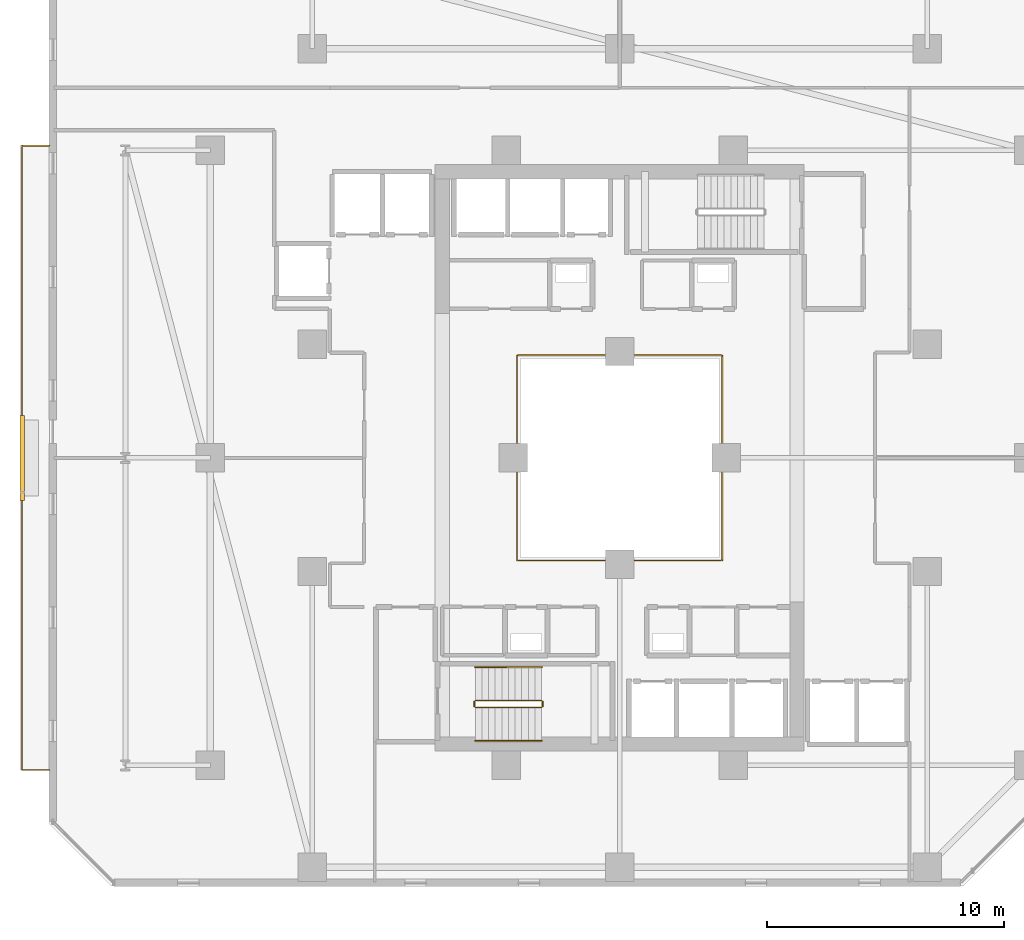
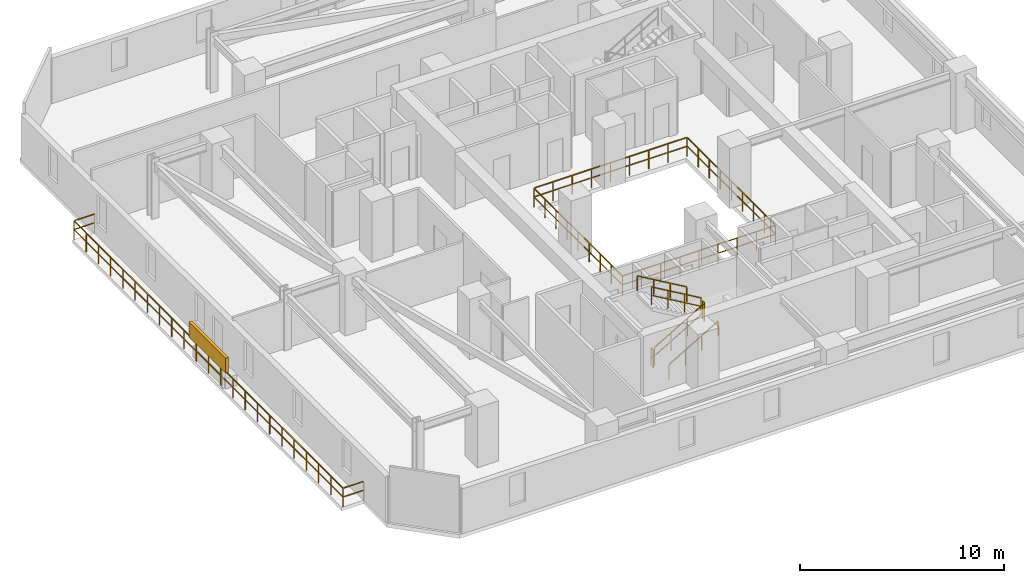
# One storey, part 30 of 33: 8 railings, 1 shading device.
"""IFC4 building model written with IfcOpenShell, lengths in metres."""

from ifc_helpers import new_model, si_unit, direction, frame, origin, origin_2d, place, context, subcontext, project, spatial, rectangle, extrude, material, type_object, element, save


model = new_model("IFC4")

# Units and contexts
model_context = context("Model", 3, precision=1e-05, world=origin(), true_north=direction((0.0, 1.0)))
body_context = subcontext(model_context, "Body", "Model", "MODEL_VIEW")
ifc_project = project(units=[si_unit("LENGTHUNIT", "METRE"), si_unit("AREAUNIT", "SQUARE_METRE"), si_unit("VOLUMEUNIT", "CUBIC_METRE"), si_unit("PLANEANGLEUNIT", "RADIAN"), si_unit("MASSUNIT", "GRAM", prefix="KILO")], contexts=[model_context])

# Site, building, storey
site_placement = place(None, origin())
site = spatial("IfcSite", under=ifc_project, at=site_placement, CompositionType="ELEMENT")
building_placement = place(site_placement, origin())
building = spatial("IfcBuilding", under=site, at=building_placement, Name="Thornwick Lancets Civic Towers", CompositionType="ELEMENT")
storey_placement = place(building_placement, frame((0.0, 0.0, 105.300048828125)))
storey = spatial("IfcBuildingStorey", under=building, at=storey_placement, Name="L27", CompositionType="ELEMENT", Elevation=105.300048828125)

# Railings
ifc_material_1 = material(Name="Laminated glass and bronze steel S355", Category="steel")
railing_type_1 = type_object("IfcRailingType", Name="RAIL_ATRIUM_GUARD", PredefinedType="BALUSTRADE", material=ifc_material_1)
railing_1_placement = place(storey_placement, frame((21.159912109375, 22.659912109375, 0.0)))
element("IfcRailing", 1, at=railing_1_placement, inside=storey, type_object=railing_type_1, Name="L27 Tower A Central Atrium Guard Balustrade", PredefinedType="BALUSTRADE", context=body_context, shape_type="SweptSolid", body=[
    extrude(rectangle(XDim=0.048095703125, YDim=0.048095703125, at=origin_2d()), frame((0.0, 0.0, 1.1259765625), z_axis=(1.0, 0.0, 0.0), x_axis=(0.0, 1.0, 0.0)), (0.0, 0.0, 1.0), 8.64892578125),
    extrude(rectangle(XDim=0.0419921875, YDim=0.0419921875, at=origin_2d()), frame((0.03759765625, 0.0, 0.597900390625), z_axis=(1.0, 0.0, 0.0), x_axis=(0.0, 1.0, 0.0)), (0.0, 0.0, 1.0), 1.010009765625),
    extrude(rectangle(XDim=0.0419921875, YDim=0.0419921875, at=origin_2d()), frame((1.12255859375, 0.0, 0.597900390625), z_axis=(1.0, 0.0, 0.0), x_axis=(0.0, 1.0, 0.0)), (0.0, 0.0, 1.0), 1.010009765625),
    extrude(rectangle(XDim=0.0419921875, YDim=0.0419921875, at=origin_2d()), frame((2.20751953125, 0.0, 0.597900390625), z_axis=(1.0, 0.0, 0.0), x_axis=(0.0, 1.0, 0.0)), (0.0, 0.0, 1.0), 1.010009765625),
    extrude(rectangle(XDim=0.0419921875, YDim=0.0419921875, at=origin_2d()), frame((3.29248046875, 0.0, 0.597900390625), z_axis=(1.0, 0.0, 0.0), x_axis=(0.0, 1.0, 0.0)), (0.0, 0.0, 1.0), 1.010009765625),
    extrude(rectangle(XDim=0.0419921875, YDim=0.0419921875, at=origin_2d()), frame((4.377685546875, 0.0, 0.597900390625), z_axis=(1.0, 0.0, 0.0), x_axis=(0.0, 1.0, 0.0)), (0.0, 0.0, 1.0), 1.010009765625),
    extrude(rectangle(XDim=0.0419921875, YDim=0.0419921875, at=origin_2d()), frame((5.462646484375, 0.0, 0.597900390625), z_axis=(1.0, 0.0, 0.0), x_axis=(0.0, 1.0, 0.0)), (0.0, 0.0, 1.0), 1.010009765625),
    extrude(rectangle(XDim=0.0419921875, YDim=0.0419921875, at=origin_2d()), frame((6.547607421875, 0.0, 0.597900390625), z_axis=(1.0, 0.0, 0.0), x_axis=(0.0, 1.0, 0.0)), (0.0, 0.0, 1.0), 1.010009765625),
    extrude(rectangle(XDim=0.0419921875, YDim=0.0419921875, at=origin_2d()), frame((7.632568359375, 0.0, 0.597900390625), z_axis=(1.0, 0.0, 0.0), x_axis=(0.0, 1.0, 0.0)), (0.0, 0.0, 1.0), 1.010009765625),
    extrude(rectangle(XDim=0.048095703125, YDim=0.048095703125, at=origin_2d()), frame((8.68017578125, 0.03125, 1.1259765625), z_axis=(0.0, 1.0, 0.0), x_axis=(-1.0, 0.0, 0.0)), (0.0, 0.0, 1.0), 8.61767578125),
    extrude(rectangle(XDim=0.0419921875, YDim=0.0419921875, at=origin_2d()), frame((8.68017578125, 0.03759765625, 0.597900390625), z_axis=(0.0, 1.0, 0.0), x_axis=(-1.0, 0.0, 0.0)), (0.0, 0.0, 1.0), 1.010009765625),
    extrude(rectangle(XDim=0.0419921875, YDim=0.0419921875, at=origin_2d()), frame((8.68017578125, 1.12255859375, 0.597900390625), z_axis=(0.0, 1.0, 0.0), x_axis=(-1.0, 0.0, 0.0)), (0.0, 0.0, 1.0), 1.010009765625),
    extrude(rectangle(XDim=0.0419921875, YDim=0.0419921875, at=origin_2d()), frame((8.68017578125, 2.20751953125, 0.597900390625), z_axis=(0.0, 1.0, 0.0), x_axis=(-1.0, 0.0, 0.0)), (0.0, 0.0, 1.0), 1.010009765625),
    extrude(rectangle(XDim=0.0419921875, YDim=0.0419921875, at=origin_2d()), frame((8.68017578125, 3.29248046875, 0.597900390625), z_axis=(0.0, 1.0, 0.0), x_axis=(-1.0, 0.0, 0.0)), (0.0, 0.0, 1.0), 1.010009765625),
    extrude(rectangle(XDim=0.0419921875, YDim=0.0419921875, at=origin_2d()), frame((8.68017578125, 4.377685546875, 0.597900390625), z_axis=(0.0, 1.0, 0.0), x_axis=(-1.0, 0.0, 0.0)), (0.0, 0.0, 1.0), 1.010009765625),
    extrude(rectangle(XDim=0.0419921875, YDim=0.0419921875, at=origin_2d()), frame((8.68017578125, 5.462646484375, 0.597900390625), z_axis=(0.0, 1.0, 0.0), x_axis=(-1.0, 0.0, 0.0)), (0.0, 0.0, 1.0), 1.010009765625),
    extrude(rectangle(XDim=0.0419921875, YDim=0.0419921875, at=origin_2d()), frame((8.68017578125, 6.547607421875, 0.597900390625), z_axis=(0.0, 1.0, 0.0), x_axis=(-1.0, 0.0, 0.0)), (0.0, 0.0, 1.0), 1.010009765625),
    extrude(rectangle(XDim=0.0419921875, YDim=0.0419921875, at=origin_2d()), frame((8.68017578125, 7.632568359375, 0.597900390625), z_axis=(0.0, 1.0, 0.0), x_axis=(-1.0, 0.0, 0.0)), (0.0, 0.0, 1.0), 1.010009765625),
    extrude(rectangle(XDim=0.048095703125, YDim=0.048095703125, at=origin_2d()), frame((8.64892578125, 8.68017578125, 1.1259765625), z_axis=(-1.0, 0.0, 0.0), x_axis=(0.0, -1.0, 0.0)), (0.0, 0.0, 1.0), 8.61767578125),
    extrude(rectangle(XDim=0.0419921875, YDim=0.0419921875, at=origin_2d()), frame((8.642578125, 8.68017578125, 0.597900390625), z_axis=(-1.0, 0.0, 0.0), x_axis=(0.0, -1.0, 0.0)), (0.0, 0.0, 1.0), 1.010009765625),
    extrude(rectangle(XDim=0.0419921875, YDim=0.0419921875, at=origin_2d()), frame((7.5576171875, 8.68017578125, 0.597900390625), z_axis=(-1.0, 0.0, 0.0), x_axis=(0.0, -1.0, 0.0)), (0.0, 0.0, 1.0), 1.010009765625),
    extrude(rectangle(XDim=0.0419921875, YDim=0.0419921875, at=origin_2d()), frame((6.47265625, 8.68017578125, 0.597900390625), z_axis=(-1.0, 0.0, 0.0), x_axis=(0.0, -1.0, 0.0)), (0.0, 0.0, 1.0), 1.010009765625),
    extrude(rectangle(XDim=0.0419921875, YDim=0.0419921875, at=origin_2d()), frame((5.3876953125, 8.68017578125, 0.597900390625), z_axis=(-1.0, 0.0, 0.0), x_axis=(0.0, -1.0, 0.0)), (0.0, 0.0, 1.0), 1.010009765625),
    extrude(rectangle(XDim=0.0419921875, YDim=0.0419921875, at=origin_2d()), frame((4.302490234375, 8.68017578125, 0.597900390625), z_axis=(-1.0, 0.0, 0.0), x_axis=(0.0, -1.0, 0.0)), (0.0, 0.0, 1.0), 1.010009765625),
    extrude(rectangle(XDim=0.0419921875, YDim=0.0419921875, at=origin_2d()), frame((3.217529296875, 8.68017578125, 0.597900390625), z_axis=(-1.0, 0.0, 0.0), x_axis=(0.0, -1.0, 0.0)), (0.0, 0.0, 1.0), 1.010009765625),
    extrude(rectangle(XDim=0.0419921875, YDim=0.0419921875, at=origin_2d()), frame((2.132568359375, 8.68017578125, 0.597900390625), z_axis=(-1.0, 0.0, 0.0), x_axis=(0.0, -1.0, 0.0)), (0.0, 0.0, 1.0), 1.010009765625),
    extrude(rectangle(XDim=0.0419921875, YDim=0.0419921875, at=origin_2d()), frame((1.047607421875, 8.68017578125, 0.597900390625), z_axis=(-1.0, 0.0, 0.0), x_axis=(0.0, -1.0, 0.0)), (0.0, 0.0, 1.0), 1.010009765625),
    extrude(rectangle(XDim=0.048095703125, YDim=0.048095703125, at=origin_2d()), frame((0.0, 8.64892578125, 1.1259765625), z_axis=(0.0, -1.0, 0.0), x_axis=(1.0, 0.0, 0.0)), (0.0, 0.0, 1.0), 8.64892578125),
    extrude(rectangle(XDim=0.0419921875, YDim=0.0419921875, at=origin_2d()), frame((0.0, 8.642578125, 0.597900390625), z_axis=(0.0, -1.0, 0.0), x_axis=(1.0, 0.0, 0.0)), (0.0, 0.0, 1.0), 1.010009765625),
    extrude(rectangle(XDim=0.0419921875, YDim=0.0419921875, at=origin_2d()), frame((0.0, 7.5576171875, 0.597900390625), z_axis=(0.0, -1.0, 0.0), x_axis=(1.0, 0.0, 0.0)), (0.0, 0.0, 1.0), 1.010009765625),
    extrude(rectangle(XDim=0.0419921875, YDim=0.0419921875, at=origin_2d()), frame((0.0, 6.47265625, 0.597900390625), z_axis=(0.0, -1.0, 0.0), x_axis=(1.0, 0.0, 0.0)), (0.0, 0.0, 1.0), 1.010009765625),
    extrude(rectangle(XDim=0.0419921875, YDim=0.0419921875, at=origin_2d()), frame((0.0, 5.3876953125, 0.597900390625), z_axis=(0.0, -1.0, 0.0), x_axis=(1.0, 0.0, 0.0)), (0.0, 0.0, 1.0), 1.010009765625),
    extrude(rectangle(XDim=0.0419921875, YDim=0.0419921875, at=origin_2d()), frame((0.0, 4.302490234375, 0.597900390625), z_axis=(0.0, -1.0, 0.0), x_axis=(1.0, 0.0, 0.0)), (0.0, 0.0, 1.0), 1.010009765625),
    extrude(rectangle(XDim=0.0419921875, YDim=0.0419921875, at=origin_2d()), frame((0.0, 3.217529296875, 0.597900390625), z_axis=(0.0, -1.0, 0.0), x_axis=(1.0, 0.0, 0.0)), (0.0, 0.0, 1.0), 1.010009765625),
    extrude(rectangle(XDim=0.0419921875, YDim=0.0419921875, at=origin_2d()), frame((0.0, 2.132568359375, 0.597900390625), z_axis=(0.0, -1.0, 0.0), x_axis=(1.0, 0.0, 0.0)), (0.0, 0.0, 1.0), 1.010009765625),
    extrude(rectangle(XDim=0.0419921875, YDim=0.0419921875, at=origin_2d()), frame((0.0, 1.047607421875, 0.597900390625), z_axis=(0.0, -1.0, 0.0), x_axis=(1.0, 0.0, 0.0)), (0.0, 0.0, 1.0), 1.010009765625),
    extrude(rectangle(XDim=0.0419921875, YDim=0.0419921875, at=origin_2d()), origin(), (0.0, 0.0, 1.0), 1.095703125),
    extrude(rectangle(XDim=0.0419921875, YDim=0.0419921875, at=origin_2d()), frame((1.0849609375, 0.0, 0.0)), (0.0, 0.0, 1.0), 1.095703125),
    extrude(rectangle(XDim=0.0419921875, YDim=0.0419921875, at=origin_2d()), frame((2.169921875, 0.0, 0.0)), (0.0, 0.0, 1.0), 1.095703125),
    extrude(rectangle(XDim=0.0419921875, YDim=0.0419921875, at=origin_2d()), frame((3.255126953125, 0.0, 0.0)), (0.0, 0.0, 1.0), 1.095703125),
    extrude(rectangle(XDim=0.0419921875, YDim=0.0419921875, at=origin_2d()), frame((4.340087890625, 0.0, 0.0)), (0.0, 0.0, 1.0), 1.095703125),
    extrude(rectangle(XDim=0.0419921875, YDim=0.0419921875, at=origin_2d()), frame((5.425048828125, 0.0, 0.0)), (0.0, 0.0, 1.0), 1.095703125),
    extrude(rectangle(XDim=0.0419921875, YDim=0.0419921875, at=origin_2d()), frame((6.51025390625, 0.0, 0.0)), (0.0, 0.0, 1.0), 1.095703125),
    extrude(rectangle(XDim=0.0419921875, YDim=0.0419921875, at=origin_2d()), frame((7.59521484375, 0.0, 0.0)), (0.0, 0.0, 1.0), 1.095703125),
    extrude(rectangle(XDim=0.0419921875, YDim=0.0419921875, at=origin_2d()), frame((8.68017578125, 0.0, 0.0)), (0.0, 0.0, 1.0), 1.095703125),
    extrude(rectangle(XDim=0.0419921875, YDim=0.0419921875, at=origin_2d()), frame((8.68017578125, 1.0849609375, 0.0)), (0.0, 0.0, 1.0), 1.095703125),
    extrude(rectangle(XDim=0.0419921875, YDim=0.0419921875, at=origin_2d()), frame((8.68017578125, 2.169921875, 0.0)), (0.0, 0.0, 1.0), 1.095703125),
    extrude(rectangle(XDim=0.0419921875, YDim=0.0419921875, at=origin_2d()), frame((8.68017578125, 3.255126953125, 0.0)), (0.0, 0.0, 1.0), 1.095703125),
    extrude(rectangle(XDim=0.0419921875, YDim=0.0419921875, at=origin_2d()), frame((8.68017578125, 4.340087890625, 0.0)), (0.0, 0.0, 1.0), 1.095703125),
    extrude(rectangle(XDim=0.0419921875, YDim=0.0419921875, at=origin_2d()), frame((8.68017578125, 5.425048828125, 0.0)), (0.0, 0.0, 1.0), 1.095703125),
    extrude(rectangle(XDim=0.0419921875, YDim=0.0419921875, at=origin_2d()), frame((8.68017578125, 6.51025390625, 0.0)), (0.0, 0.0, 1.0), 1.095703125),
    extrude(rectangle(XDim=0.0419921875, YDim=0.0419921875, at=origin_2d()), frame((8.68017578125, 7.59521484375, 0.0)), (0.0, 0.0, 1.0), 1.095703125),
    extrude(rectangle(XDim=0.0419921875, YDim=0.0419921875, at=origin_2d()), frame((8.68017578125, 8.68017578125, 0.0)), (0.0, 0.0, 1.0), 1.095703125),
    extrude(rectangle(XDim=0.0419921875, YDim=0.0419921875, at=origin_2d()), frame((7.59521484375, 8.68017578125, 0.0)), (0.0, 0.0, 1.0), 1.095703125),
    extrude(rectangle(XDim=0.0419921875, YDim=0.0419921875, at=origin_2d()), frame((6.51025390625, 8.68017578125, 0.0)), (0.0, 0.0, 1.0), 1.095703125),
    extrude(rectangle(XDim=0.0419921875, YDim=0.0419921875, at=origin_2d()), frame((5.425048828125, 8.68017578125, 0.0)), (0.0, 0.0, 1.0), 1.095703125),
    extrude(rectangle(XDim=0.0419921875, YDim=0.0419921875, at=origin_2d()), frame((4.340087890625, 8.68017578125, 0.0)), (0.0, 0.0, 1.0), 1.095703125),
    extrude(rectangle(XDim=0.0419921875, YDim=0.0419921875, at=origin_2d()), frame((3.255126953125, 8.68017578125, 0.0)), (0.0, 0.0, 1.0), 1.095703125),
    extrude(rectangle(XDim=0.0419921875, YDim=0.0419921875, at=origin_2d()), frame((2.169921875, 8.68017578125, 0.0)), (0.0, 0.0, 1.0), 1.095703125),
    extrude(rectangle(XDim=0.0419921875, YDim=0.0419921875, at=origin_2d()), frame((1.0849609375, 8.68017578125, 0.0)), (0.0, 0.0, 1.0), 1.095703125),
    extrude(rectangle(XDim=0.0419921875, YDim=0.0419921875, at=origin_2d()), frame((0.0, 8.68017578125, 0.0)), (0.0, 0.0, 1.0), 1.095703125),
    extrude(rectangle(XDim=0.0419921875, YDim=0.0419921875, at=origin_2d()), frame((0.0, 7.59521484375, 0.0)), (0.0, 0.0, 1.0), 1.095703125),
    extrude(rectangle(XDim=0.0419921875, YDim=0.0419921875, at=origin_2d()), frame((0.0, 6.51025390625, 0.0)), (0.0, 0.0, 1.0), 1.095703125),
    extrude(rectangle(XDim=0.0419921875, YDim=0.0419921875, at=origin_2d()), frame((0.0, 5.425048828125, 0.0)), (0.0, 0.0, 1.0), 1.095703125),
    extrude(rectangle(XDim=0.0419921875, YDim=0.0419921875, at=origin_2d()), frame((0.0, 4.340087890625, 0.0)), (0.0, 0.0, 1.0), 1.095703125),
    extrude(rectangle(XDim=0.0419921875, YDim=0.0419921875, at=origin_2d()), frame((0.0, 3.255126953125, 0.0)), (0.0, 0.0, 1.0), 1.095703125),
    extrude(rectangle(XDim=0.0419921875, YDim=0.0419921875, at=origin_2d()), frame((0.0, 2.169921875, 0.0)), (0.0, 0.0, 1.0), 1.095703125),
    extrude(rectangle(XDim=0.0419921875, YDim=0.0419921875, at=origin_2d()), frame((0.0, 1.0849609375, 0.0)), (0.0, 0.0, 1.0), 1.095703125),
])
ifc_material_2 = material(Name="Brushed stainless steel S355", Category="steel")
railing_type_2 = type_object("IfcRailingType", Name="RAIL_HANDRAIL", PredefinedType="HANDRAIL", material=ifc_material_2)
railing_2_placement = place(storey_placement, frame((19.39990234375, 15.050048828125, 0.16357421875)))
element("IfcRailing", 2, at=railing_2_placement, inside=storey, type_object=railing_type_2, Name="L27 ST-A1 stair handrail 1", PredefinedType="HANDRAIL", context=body_context, shape_type="SweptSolid", body=[
    extrude(rectangle(XDim=0.048095703125, YDim=0.048095703125, at=origin_2d()), frame((0.0, 0.0, 0.8857421875), z_axis=(0.863360870873, 0.0, 0.504586966384), x_axis=(0.0, 1.0, 0.0)), (0.0, 0.0, 1.0), 3.2431640625),
    extrude(rectangle(XDim=0.0419921875, YDim=0.0419921875, at=origin_2d()), origin(), (0.0, 0.0, 1.0), 0.855712890625),
    extrude(rectangle(XDim=0.0419921875, YDim=0.0419921875, at=origin_2d()), frame((0.933349609375, 0.0, 0.54541015625)), (0.0, 0.0, 1.0), 0.855712890625),
    extrude(rectangle(XDim=0.0419921875, YDim=0.0419921875, at=origin_2d()), frame((1.86669921875, 0.0, 1.091064453125)), (0.0, 0.0, 1.0), 0.855712890625),
    extrude(rectangle(XDim=0.0419921875, YDim=0.0419921875, at=origin_2d()), frame((2.800048828125, 0.0, 1.636474609375)), (0.0, 0.0, 1.0), 0.855712890625),
])
railing_3_placement = place(storey_placement, frame((22.199951171875, 18.14990234375, 1.963623046875)))
element("IfcRailing", 3, at=railing_3_placement, inside=storey, type_object=railing_type_2, Name="L27 ST-A1 stair handrail 2", PredefinedType="HANDRAIL", context=body_context, shape_type="SweptSolid", body=[
    extrude(rectangle(XDim=0.048095703125, YDim=0.048095703125, at=origin_2d()), frame((0.0, 0.0, 0.8857421875), z_axis=(-0.863393664356, 0.0, 0.504530851732), x_axis=(0.0, -1.0, 0.0)), (0.0, 0.0, 1.0), 3.2431640625),
    extrude(rectangle(XDim=0.0419921875, YDim=0.0419921875, at=origin_2d()), origin(), (0.0, 0.0, 1.0), 0.855712890625),
    extrude(rectangle(XDim=0.0419921875, YDim=0.0419921875, at=origin_2d()), frame((-0.933349609375, 0.0, 0.54541015625)), (0.0, 0.0, 1.0), 0.855712890625),
    extrude(rectangle(XDim=0.0419921875, YDim=0.0419921875, at=origin_2d()), frame((-1.86669921875, 0.0, 1.0908203125)), (0.0, 0.0, 1.0), 0.855712890625),
    extrude(rectangle(XDim=0.0419921875, YDim=0.0419921875, at=origin_2d()), frame((-2.800048828125, 0.0, 1.63623046875)), (0.0, 0.0, 1.0), 0.855712890625),
])
ifc_material_3 = material(Name="Steel S355JR", Category="steel")
railing_type_3 = type_object("IfcRailingType", Name="RAIL_STAIR_GUARD", PredefinedType="GUARDRAIL", material=ifc_material_3)
railing_4_placement = place(storey_placement, frame((19.39990234375, 16.449951171875, 0.16357421875)))
element("IfcRailing", 4, at=railing_4_placement, inside=storey, type_object=railing_type_3, Name="L27 ST-A1 stair guard 1", PredefinedType="GUARDRAIL", context=body_context, shape_type="SweptSolid", body=[
    extrude(rectangle(XDim=0.048095703125, YDim=0.048095703125, at=origin_2d()), frame((0.0, 0.0, 1.076171875), z_axis=(0.863360870873, 0.0, 0.504586966384), x_axis=(0.0, 1.0, 0.0)), (0.0, 0.0, 1.0), 3.2431640625),
    extrude(rectangle(XDim=0.0419921875, YDim=0.0419921875, at=origin_2d()), frame((0.032470703125, 0.0, 0.591064453125), z_axis=(0.863360870873, 0.0, 0.504586966384), x_axis=(0.0, 1.0, 0.0)), (0.0, 0.0, 1.0), 1.006103515625),
    extrude(rectangle(XDim=0.0419921875, YDim=0.0419921875, at=origin_2d()), frame((0.9658203125, 0.0, 1.136474609375), z_axis=(0.863360870873, 0.0, 0.504586966384), x_axis=(0.0, 1.0, 0.0)), (0.0, 0.0, 1.0), 1.006103515625),
    extrude(rectangle(XDim=0.0419921875, YDim=0.0419921875, at=origin_2d()), frame((1.899169921875, 0.0, 1.681884765625), z_axis=(0.863360870873, 0.0, 0.504586966384), x_axis=(0.0, 1.0, 0.0)), (0.0, 0.0, 1.0), 1.006103515625),
    extrude(rectangle(XDim=0.0419921875, YDim=0.0419921875, at=origin_2d()), origin(), (0.0, 0.0, 1.0), 1.0458984375),
    extrude(rectangle(XDim=0.0419921875, YDim=0.0419921875, at=origin_2d()), frame((0.933349609375, 0.0, 0.54541015625)), (0.0, 0.0, 1.0), 1.0458984375),
    extrude(rectangle(XDim=0.0419921875, YDim=0.0419921875, at=origin_2d()), frame((1.86669921875, 0.0, 1.091064453125)), (0.0, 0.0, 1.0), 1.0458984375),
    extrude(rectangle(XDim=0.0419921875, YDim=0.0419921875, at=origin_2d()), frame((2.800048828125, 0.0, 1.636474609375)), (0.0, 0.0, 1.0), 1.0458984375),
])
railing_5_placement = place(storey_placement, frame((22.25, 16.5, 1.800048828125)))
element("IfcRailing", 5, at=railing_5_placement, inside=storey, type_object=railing_type_3, Name="L27 ST-A1 stair guard 2", PredefinedType="GUARDRAIL", context=body_context, shape_type="SweptSolid", body=[
    extrude(rectangle(XDim=0.048095703125, YDim=0.048095703125, at=origin_2d()), frame((0.0, 0.0, 1.076171875), z_axis=(0.0, 1.0, 0.0), x_axis=(-1.0, 0.0, 0.0)), (0.0, 0.0, 1.0), 0.199951171875),
    extrude(rectangle(XDim=0.0419921875, YDim=0.0419921875, at=origin_2d()), frame((0.0, 0.03759765625, 0.572021484375), z_axis=(0.0, 1.0, 0.0), x_axis=(-1.0, 0.0, 0.0)), (0.0, 0.0, 1.0), 0.125),
    extrude(rectangle(XDim=0.0419921875, YDim=0.0419921875, at=origin_2d()), origin(), (0.0, 0.0, 1.0), 1.0458984375),
    extrude(rectangle(XDim=0.0419921875, YDim=0.0419921875, at=origin_2d()), frame((0.0, 0.199951171875, 0.0)), (0.0, 0.0, 1.0), 1.0458984375),
])
railing_6_placement = place(storey_placement, frame((22.199951171875, 16.75, 1.963623046875)))
element("IfcRailing", 6, at=railing_6_placement, inside=storey, type_object=railing_type_3, Name="L27 ST-A1 stair guard 3", PredefinedType="GUARDRAIL", context=body_context, shape_type="SweptSolid", body=[
    extrude(rectangle(XDim=0.048095703125, YDim=0.048095703125, at=origin_2d()), frame((0.0, 0.0, 1.076171875), z_axis=(-0.863393664356, 0.0, 0.504530851732), x_axis=(0.0, -1.0, 0.0)), (0.0, 0.0, 1.0), 3.2431640625),
    extrude(rectangle(XDim=0.0419921875, YDim=0.0419921875, at=origin_2d()), frame((-0.032470703125, 0.0, 0.591064453125), z_axis=(-0.863393664356, 0.0, 0.504530851732), x_axis=(0.0, -1.0, 0.0)), (0.0, 0.0, 1.0), 1.006103515625),
    extrude(rectangle(XDim=0.0419921875, YDim=0.0419921875, at=origin_2d()), frame((-0.9658203125, 0.0, 1.136474609375), z_axis=(-0.863393664356, 0.0, 0.504530851732), x_axis=(0.0, -1.0, 0.0)), (0.0, 0.0, 1.0), 1.006103515625),
    extrude(rectangle(XDim=0.0419921875, YDim=0.0419921875, at=origin_2d()), frame((-1.899169921875, 0.0, 1.681884765625), z_axis=(-0.863393664356, 0.0, 0.504530851732), x_axis=(0.0, -1.0, 0.0)), (0.0, 0.0, 1.0), 1.006103515625),
    extrude(rectangle(XDim=0.0419921875, YDim=0.0419921875, at=origin_2d()), origin(), (0.0, 0.0, 1.0), 1.0458984375),
    extrude(rectangle(XDim=0.0419921875, YDim=0.0419921875, at=origin_2d()), frame((-0.933349609375, 0.0, 0.54541015625)), (0.0, 0.0, 1.0), 1.0458984375),
    extrude(rectangle(XDim=0.0419921875, YDim=0.0419921875, at=origin_2d()), frame((-1.86669921875, 0.0, 1.0908203125)), (0.0, 0.0, 1.0), 1.0458984375),
    extrude(rectangle(XDim=0.0419921875, YDim=0.0419921875, at=origin_2d()), frame((-2.800048828125, 0.0, 1.63623046875)), (0.0, 0.0, 1.0), 1.0458984375),
])
railing_7_placement = place(storey_placement, frame((19.35009765625, 16.5, 0.0)))
element("IfcRailing", 7, at=railing_7_placement, inside=storey, type_object=railing_type_3, Name="L27 ST-A1 stair guard 4", PredefinedType="GUARDRAIL", context=body_context, shape_type="SweptSolid", body=[
    extrude(rectangle(XDim=0.048095703125, YDim=0.048095703125, at=origin_2d()), frame((0.0, 0.0, 1.076171875), z_axis=(0.0, 1.0, 0.0), x_axis=(-1.0, 0.0, 0.0)), (0.0, 0.0, 1.0), 0.199951171875),
    extrude(rectangle(XDim=0.0419921875, YDim=0.0419921875, at=origin_2d()), frame((0.0, 0.03759765625, 0.572021484375), z_axis=(0.0, 1.0, 0.0), x_axis=(-1.0, 0.0, 0.0)), (0.0, 0.0, 1.0), 0.125),
    extrude(rectangle(XDim=0.0419921875, YDim=0.0419921875, at=origin_2d()), origin(), (0.0, 0.0, 1.0), 1.0458984375),
    extrude(rectangle(XDim=0.0419921875, YDim=0.0419921875, at=origin_2d()), frame((0.0, 0.199951171875, 0.0)), (0.0, 0.0, 1.0), 1.0458984375),
])
ifc_material_4 = material(Name="Terracotta-capped laminated glass balustrade S355", Category="masonry")
railing_type_4 = type_object("IfcRailingType", Name="RAIL_TERR_GUARD", PredefinedType="GUARDRAIL", material=ifc_material_4)
railing_8_placement = place(storey_placement, frame((1.39990234375, 13.800048828125, 0.0)))
element("IfcRailing", 8, at=railing_8_placement, inside=storey, type_object=railing_type_4, Name="L27 Tower A Balcony Guard W", PredefinedType="GUARDRAIL", context=body_context, shape_type="SweptSolid", body=[
    extrude(rectangle(XDim=0.048095703125, YDim=0.048095703125, at=origin_2d()), frame((0.0, 0.0, 1.1259765625), z_axis=(-1.0, 0.0, 0.0), x_axis=(0.0, -1.0, 0.0)), (0.0, 0.0, 1.0), 1.138671875),
    extrude(rectangle(XDim=0.0419921875, YDim=0.0419921875, at=origin_2d()), frame((-0.03759765625, 0.0, 0.597900390625), z_axis=(-1.0, 0.0, 0.0), x_axis=(0.0, -1.0, 0.0)), (0.0, 0.0, 1.0), 1.094970703125),
    extrude(rectangle(XDim=0.048095703125, YDim=0.048095703125, at=origin_2d()), frame((-1.169921875, 0.03125, 1.1259765625), z_axis=(0.0, 1.0, 0.0), x_axis=(-1.0, 0.0, 0.0)), (0.0, 0.0, 1.0), 26.33740234375),
    extrude(rectangle(XDim=0.0419921875, YDim=0.0419921875, at=origin_2d()), frame((-1.169921875, 0.03759765625, 0.597900390625), z_axis=(0.0, 1.0, 0.0), x_axis=(-1.0, 0.0, 0.0)), (0.0, 0.0, 1.0), 1.125),
    extrude(rectangle(XDim=0.0419921875, YDim=0.0419921875, at=origin_2d()), frame((-1.169921875, 1.237548828125, 0.597900390625), z_axis=(0.0, 1.0, 0.0), x_axis=(-1.0, 0.0, 0.0)), (0.0, 0.0, 1.0), 1.125),
    extrude(rectangle(XDim=0.0419921875, YDim=0.0419921875, at=origin_2d()), frame((-1.169921875, 2.4375, 0.597900390625), z_axis=(0.0, 1.0, 0.0), x_axis=(-1.0, 0.0, 0.0)), (0.0, 0.0, 1.0), 1.125),
    extrude(rectangle(XDim=0.0419921875, YDim=0.0419921875, at=origin_2d()), frame((-1.169921875, 3.637451171875, 0.597900390625), z_axis=(0.0, 1.0, 0.0), x_axis=(-1.0, 0.0, 0.0)), (0.0, 0.0, 1.0), 1.125),
    extrude(rectangle(XDim=0.0419921875, YDim=0.0419921875, at=origin_2d()), frame((-1.169921875, 4.83740234375, 0.597900390625), z_axis=(0.0, 1.0, 0.0), x_axis=(-1.0, 0.0, 0.0)), (0.0, 0.0, 1.0), 1.125),
    extrude(rectangle(XDim=0.0419921875, YDim=0.0419921875, at=origin_2d()), frame((-1.169921875, 6.037353515625, 0.597900390625), z_axis=(0.0, 1.0, 0.0), x_axis=(-1.0, 0.0, 0.0)), (0.0, 0.0, 1.0), 1.125),
    extrude(rectangle(XDim=0.0419921875, YDim=0.0419921875, at=origin_2d()), frame((-1.169921875, 7.237548828125, 0.597900390625), z_axis=(0.0, 1.0, 0.0), x_axis=(-1.0, 0.0, 0.0)), (0.0, 0.0, 1.0), 1.125),
    extrude(rectangle(XDim=0.0419921875, YDim=0.0419921875, at=origin_2d()), frame((-1.169921875, 8.4375, 0.597900390625), z_axis=(0.0, 1.0, 0.0), x_axis=(-1.0, 0.0, 0.0)), (0.0, 0.0, 1.0), 1.125),
    extrude(rectangle(XDim=0.0419921875, YDim=0.0419921875, at=origin_2d()), frame((-1.169921875, 9.637451171875, 0.597900390625), z_axis=(0.0, 1.0, 0.0), x_axis=(-1.0, 0.0, 0.0)), (0.0, 0.0, 1.0), 1.125),
    extrude(rectangle(XDim=0.0419921875, YDim=0.0419921875, at=origin_2d()), frame((-1.169921875, 10.83740234375, 0.597900390625), z_axis=(0.0, 1.0, 0.0), x_axis=(-1.0, 0.0, 0.0)), (0.0, 0.0, 1.0), 1.125),
    extrude(rectangle(XDim=0.0419921875, YDim=0.0419921875, at=origin_2d()), frame((-1.169921875, 12.037353515625, 0.597900390625), z_axis=(0.0, 1.0, 0.0), x_axis=(-1.0, 0.0, 0.0)), (0.0, 0.0, 1.0), 1.125),
    extrude(rectangle(XDim=0.0419921875, YDim=0.0419921875, at=origin_2d()), frame((-1.169921875, 13.237548828125, 0.597900390625), z_axis=(0.0, 1.0, 0.0), x_axis=(-1.0, 0.0, 0.0)), (0.0, 0.0, 1.0), 1.125),
    extrude(rectangle(XDim=0.0419921875, YDim=0.0419921875, at=origin_2d()), frame((-1.169921875, 14.4375, 0.597900390625), z_axis=(0.0, 1.0, 0.0), x_axis=(-1.0, 0.0, 0.0)), (0.0, 0.0, 1.0), 1.125),
    extrude(rectangle(XDim=0.0419921875, YDim=0.0419921875, at=origin_2d()), frame((-1.169921875, 15.637451171875, 0.597900390625), z_axis=(0.0, 1.0, 0.0), x_axis=(-1.0, 0.0, 0.0)), (0.0, 0.0, 1.0), 1.125),
    extrude(rectangle(XDim=0.0419921875, YDim=0.0419921875, at=origin_2d()), frame((-1.169921875, 16.83740234375, 0.597900390625), z_axis=(0.0, 1.0, 0.0), x_axis=(-1.0, 0.0, 0.0)), (0.0, 0.0, 1.0), 1.125),
    extrude(rectangle(XDim=0.0419921875, YDim=0.0419921875, at=origin_2d()), frame((-1.169921875, 18.037353515625, 0.597900390625), z_axis=(0.0, 1.0, 0.0), x_axis=(-1.0, 0.0, 0.0)), (0.0, 0.0, 1.0), 1.125),
    extrude(rectangle(XDim=0.0419921875, YDim=0.0419921875, at=origin_2d()), frame((-1.169921875, 19.2373046875, 0.597900390625), z_axis=(0.0, 1.0, 0.0), x_axis=(-1.0, 0.0, 0.0)), (0.0, 0.0, 1.0), 1.125),
    extrude(rectangle(XDim=0.0419921875, YDim=0.0419921875, at=origin_2d()), frame((-1.169921875, 20.4375, 0.597900390625), z_axis=(0.0, 1.0, 0.0), x_axis=(-1.0, 0.0, 0.0)), (0.0, 0.0, 1.0), 1.125),
    extrude(rectangle(XDim=0.0419921875, YDim=0.0419921875, at=origin_2d()), frame((-1.169921875, 21.637451171875, 0.597900390625), z_axis=(0.0, 1.0, 0.0), x_axis=(-1.0, 0.0, 0.0)), (0.0, 0.0, 1.0), 1.125),
    extrude(rectangle(XDim=0.0419921875, YDim=0.0419921875, at=origin_2d()), frame((-1.169921875, 22.83740234375, 0.597900390625), z_axis=(0.0, 1.0, 0.0), x_axis=(-1.0, 0.0, 0.0)), (0.0, 0.0, 1.0), 1.125),
    extrude(rectangle(XDim=0.0419921875, YDim=0.0419921875, at=origin_2d()), frame((-1.169921875, 24.037353515625, 0.597900390625), z_axis=(0.0, 1.0, 0.0), x_axis=(-1.0, 0.0, 0.0)), (0.0, 0.0, 1.0), 1.125),
    extrude(rectangle(XDim=0.0419921875, YDim=0.0419921875, at=origin_2d()), frame((-1.169921875, 25.2373046875, 0.597900390625), z_axis=(0.0, 1.0, 0.0), x_axis=(-1.0, 0.0, 0.0)), (0.0, 0.0, 1.0), 1.125),
    extrude(rectangle(XDim=0.048095703125, YDim=0.048095703125, at=origin_2d()), frame((-1.138671875, 26.39990234375, 1.1259765625), z_axis=(1.0, 0.0, 0.0), x_axis=(0.0, 1.0, 0.0)), (0.0, 0.0, 1.0), 1.138671875),
    extrude(rectangle(XDim=0.0419921875, YDim=0.0419921875, at=origin_2d()), frame((-1.13232421875, 26.39990234375, 0.597900390625), z_axis=(1.0, 0.0, 0.0), x_axis=(0.0, 1.0, 0.0)), (0.0, 0.0, 1.0), 1.094970703125),
    extrude(rectangle(XDim=0.0419921875, YDim=0.0419921875, at=origin_2d()), origin(), (0.0, 0.0, 1.0), 1.095703125),
    extrude(rectangle(XDim=0.0419921875, YDim=0.0419921875, at=origin_2d()), frame((-1.169921875, 0.0, 0.0)), (0.0, 0.0, 1.0), 1.095703125),
    extrude(rectangle(XDim=0.0419921875, YDim=0.0419921875, at=origin_2d()), frame((-1.169921875, 1.199951171875, 0.0)), (0.0, 0.0, 1.0), 1.095703125),
    extrude(rectangle(XDim=0.0419921875, YDim=0.0419921875, at=origin_2d()), frame((-1.169921875, 2.39990234375, 0.0)), (0.0, 0.0, 1.0), 1.095703125),
    extrude(rectangle(XDim=0.0419921875, YDim=0.0419921875, at=origin_2d()), frame((-1.169921875, 3.60009765625, 0.0)), (0.0, 0.0, 1.0), 1.095703125),
    extrude(rectangle(XDim=0.0419921875, YDim=0.0419921875, at=origin_2d()), frame((-1.169921875, 4.800048828125, 0.0)), (0.0, 0.0, 1.0), 1.095703125),
    extrude(rectangle(XDim=0.0419921875, YDim=0.0419921875, at=origin_2d()), frame((-1.169921875, 6.0, 0.0)), (0.0, 0.0, 1.0), 1.095703125),
    extrude(rectangle(XDim=0.0419921875, YDim=0.0419921875, at=origin_2d()), frame((-1.169921875, 7.199951171875, 0.0)), (0.0, 0.0, 1.0), 1.095703125),
    extrude(rectangle(XDim=0.0419921875, YDim=0.0419921875, at=origin_2d()), frame((-1.169921875, 8.39990234375, 0.0)), (0.0, 0.0, 1.0), 1.095703125),
    extrude(rectangle(XDim=0.0419921875, YDim=0.0419921875, at=origin_2d()), frame((-1.169921875, 9.599853515625, 0.0)), (0.0, 0.0, 1.0), 1.095703125),
    extrude(rectangle(XDim=0.0419921875, YDim=0.0419921875, at=origin_2d()), frame((-1.169921875, 10.800048828125, 0.0)), (0.0, 0.0, 1.0), 1.095703125),
    extrude(rectangle(XDim=0.0419921875, YDim=0.0419921875, at=origin_2d()), frame((-1.169921875, 12.0, 0.0)), (0.0, 0.0, 1.0), 1.095703125),
    extrude(rectangle(XDim=0.0419921875, YDim=0.0419921875, at=origin_2d()), frame((-1.169921875, 13.199951171875, 0.0)), (0.0, 0.0, 1.0), 1.095703125),
    extrude(rectangle(XDim=0.0419921875, YDim=0.0419921875, at=origin_2d()), frame((-1.169921875, 14.39990234375, 0.0)), (0.0, 0.0, 1.0), 1.095703125),
    extrude(rectangle(XDim=0.0419921875, YDim=0.0419921875, at=origin_2d()), frame((-1.169921875, 15.599853515625, 0.0)), (0.0, 0.0, 1.0), 1.095703125),
    extrude(rectangle(XDim=0.0419921875, YDim=0.0419921875, at=origin_2d()), frame((-1.169921875, 16.800048828125, 0.0)), (0.0, 0.0, 1.0), 1.095703125),
    extrude(rectangle(XDim=0.0419921875, YDim=0.0419921875, at=origin_2d()), frame((-1.169921875, 18.0, 0.0)), (0.0, 0.0, 1.0), 1.095703125),
    extrude(rectangle(XDim=0.0419921875, YDim=0.0419921875, at=origin_2d()), frame((-1.169921875, 19.199951171875, 0.0)), (0.0, 0.0, 1.0), 1.095703125),
    extrude(rectangle(XDim=0.0419921875, YDim=0.0419921875, at=origin_2d()), frame((-1.169921875, 20.39990234375, 0.0)), (0.0, 0.0, 1.0), 1.095703125),
    extrude(rectangle(XDim=0.0419921875, YDim=0.0419921875, at=origin_2d()), frame((-1.169921875, 21.599853515625, 0.0)), (0.0, 0.0, 1.0), 1.095703125),
    extrude(rectangle(XDim=0.0419921875, YDim=0.0419921875, at=origin_2d()), frame((-1.169921875, 22.7998046875, 0.0)), (0.0, 0.0, 1.0), 1.095703125),
    extrude(rectangle(XDim=0.0419921875, YDim=0.0419921875, at=origin_2d()), frame((-1.169921875, 24.0, 0.0)), (0.0, 0.0, 1.0), 1.095703125),
    extrude(rectangle(XDim=0.0419921875, YDim=0.0419921875, at=origin_2d()), frame((-1.169921875, 25.199951171875, 0.0)), (0.0, 0.0, 1.0), 1.095703125),
    extrude(rectangle(XDim=0.0419921875, YDim=0.0419921875, at=origin_2d()), frame((-1.169921875, 26.39990234375, 0.0)), (0.0, 0.0, 1.0), 1.095703125),
    extrude(rectangle(XDim=0.0419921875, YDim=0.0419921875, at=origin_2d()), frame((0.0, 26.39990234375, 0.0)), (0.0, 0.0, 1.0), 1.095703125),
])

# Shading device
ifc_material_5 = material(Name="Extruded terracotta baguette solar screen", Category="masonry")
shading_device_type = type_object("IfcShadingDeviceType", Name="SHADE_BAGUETTE", PredefinedType="JALOUSIE", material=ifc_material_5)
shading_device_placement = place(storey_placement, frame((0.239990234375, 27.0, 1.1201171875), z_axis=(0.0, 0.0, 1.0), x_axis=(0.0, 1.0, 0.0)))
element("IfcShadingDevice", 9, at=shading_device_placement, inside=storey, type_object=shading_device_type, Name="L27 Tower A Terracotta Baguette Screen W", PredefinedType="JALOUSIE", context=body_context, shape_type="SweptSolid", body=[
    extrude(rectangle(XDim=3.60009765625, YDim=0.179931640625, at=origin_2d()), origin(), (0.0, 0.0, 1.0), 0.89990234375),
])

save(model, "model.ifc")
